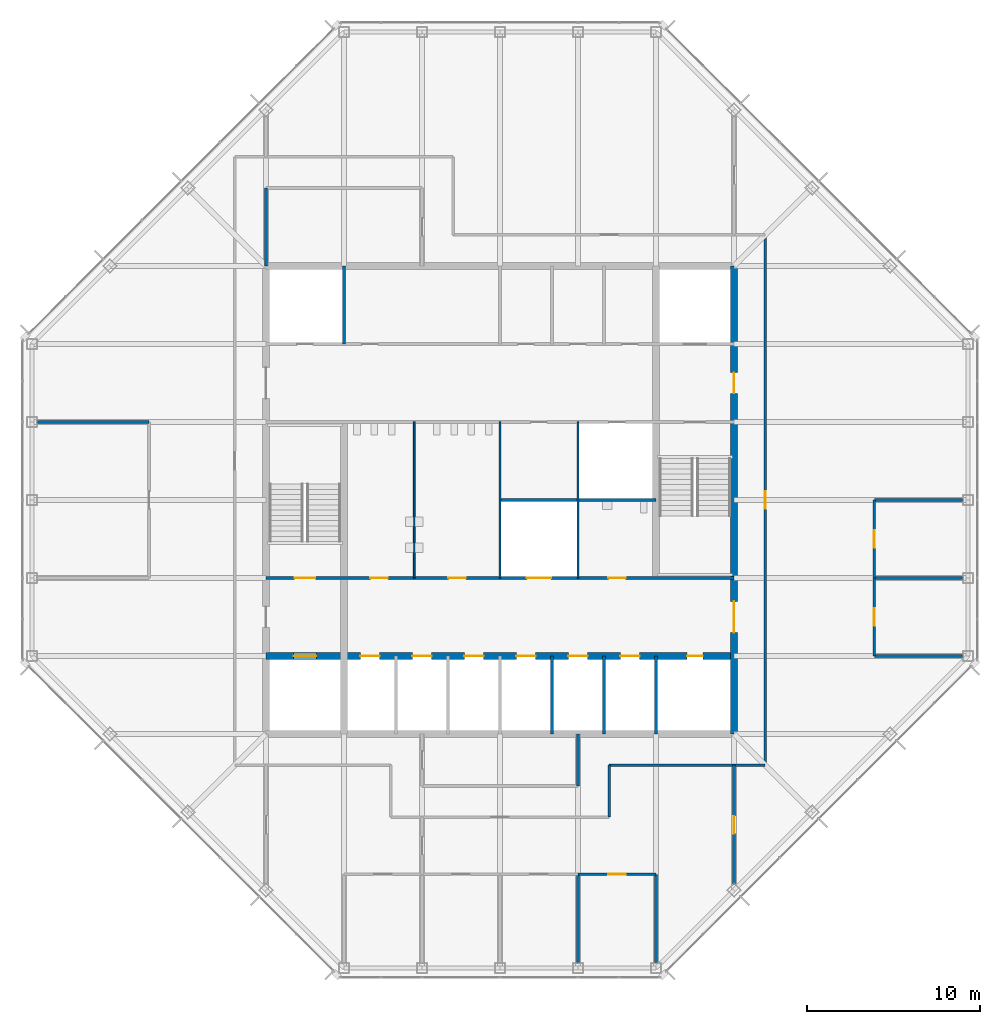
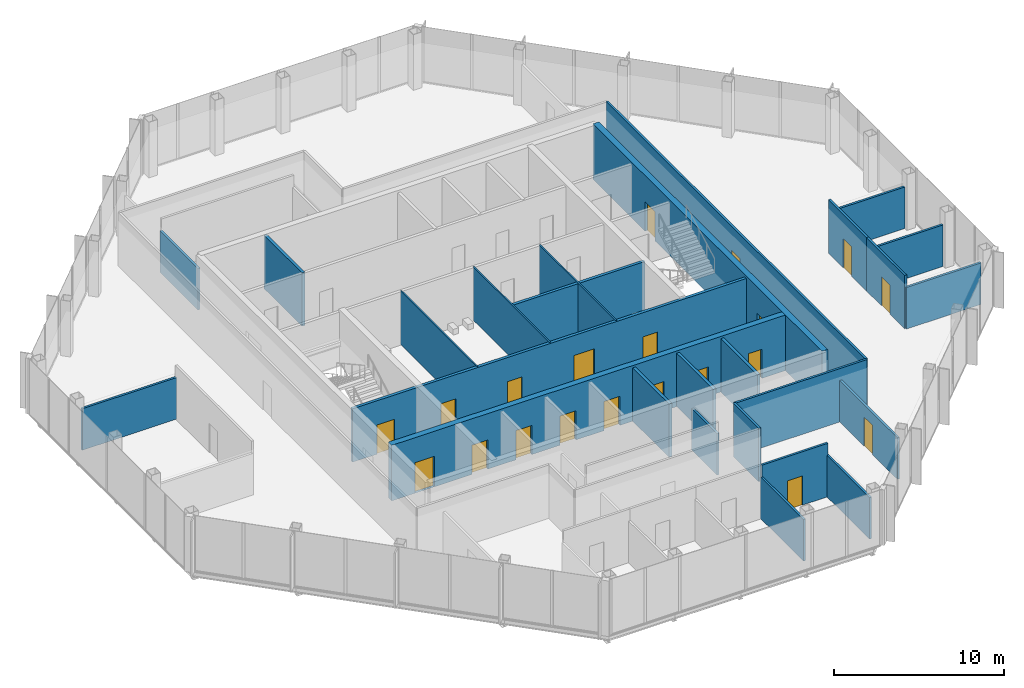
# One storey, part 10 of 13: 26 walls, 20 doors, 20 openings.
"""IFC4 building model written with IfcOpenShell, lengths in metres."""

from ifc_helpers import new_model, si_unit, direction, frame, frame_2d, origin, place, context, subcontext, project, spatial, rectangle, extrude, material, layer, layer_set, type_object, element, fill, save


model = new_model("IFC4")

# Units and contexts
model_context = context("Model", 3, precision=1e-05, world=origin(), true_north=direction((0.0, 1.0)))
body_context = subcontext(model_context, "Body", "Model", "MODEL_VIEW")
ifc_project = project(units=[si_unit("LENGTHUNIT", "METRE"), si_unit("AREAUNIT", "SQUARE_METRE"), si_unit("VOLUMEUNIT", "CUBIC_METRE"), si_unit("PLANEANGLEUNIT", "RADIAN"), si_unit("MASSUNIT", "GRAM", prefix="KILO")], contexts=[model_context])

# Site, building, storey
site_placement = place(None, origin())
site = spatial("IfcSite", under=ifc_project, at=site_placement, CompositionType="ELEMENT")
building_placement = place(site_placement, origin())
building = spatial("IfcBuilding", under=site, at=building_placement, Name="Corais Broadcast Tower", CompositionType="ELEMENT")
storey_placement = place(building_placement, frame((0.0, 0.0, 270.60009765625)))
storey = spatial("IfcBuildingStorey", under=building, at=storey_placement, Name="L63", CompositionType="ELEMENT", Elevation=270.60009765625)

# Walls
ifc_material_1 = material(Name="Concrete blockwork class A, grouted, two-hour", Category="masonry")
ifc_layer_1 = layer(ifc_material_1, 0.199951171875)
ifc_layer_set_1 = layer_set([ifc_layer_1], Name="Concrete blockwork class A, grouted, two-hour")
wall_type_1 = type_object("IfcWallType", Name="Core lobby wall 200", PredefinedType="SOLIDWALL", material=ifc_layer_set_1)
for number, where, z_axis, x_axis, name in (
    (1, (18.0, 36.0, 0.0), (0.0, 0.0, 1.0), (0.0, 1.0, 0.0), "CL3 core shaft wall X18B L63"),
    (2, (36.0, 13.5, 0.0), (0.0, 0.0, 1.0), (0.0, 1.0, 0.0), "CL3 core shaft wall X36A L63"),
):
    element("IfcWall", number, at=place(storey_placement, frame(where, z_axis=z_axis, x_axis=x_axis)), inside=storey, type_object=wall_type_1, Name=name, PredefinedType="SOLIDWALL", context=body_context, shape_type="SweptSolid", body=[
        extrude(rectangle(XDim=4.5, YDim=0.199951171875, at=frame_2d((2.25, 0.0))), origin(), (0.0, 0.0, 1.0), 3.83984375),
    ])

# Wall, openings, doors
wall_1_placement = place(storey_placement, frame((13.5, 22.5, 0.0), z_axis=(0.0, 0.0, 1.0), x_axis=(1.0, 0.0, 0.0)))
wall_1 = element("IfcWall", 3, at=wall_1_placement, inside=storey, type_object=wall_type_1, Name="CL3 core lobby wall Y225 L63", PredefinedType="SOLIDWALL", context=body_context, shape_type="SweptSolid", body=[
    extrude(rectangle(XDim=27.0, YDim=0.199951171875, at=frame_2d((13.5, 0.0))), origin(), (0.0, 0.0, 1.0), 3.83984375),
])
opening_1_placement = place(wall_1_placement, frame((1.64990234375, 0.0, 0.0)))
opening_1 = element("IfcOpeningElement", 4, at=opening_1_placement, cuts=wall_1, Name="Opening FD1", PredefinedType="OPENING", context=body_context, shape_type="SweptSolid", body=[
    extrude(rectangle(XDim=1.199951171875, YDim=2.10009765625, at=frame_2d((0.60009765625, 1.050048828125))), frame((0.0, 0.10986328125, 0.0), z_axis=(0.0, -1.0, 0.0), x_axis=(1.0, 0.0, 0.0)), (0.0, 0.0, 1.0), 0.219970703125),
])
opening_2_placement = place(wall_1_placement, frame((6.02490234375, 0.0, 0.0)))
opening_2 = element("IfcOpeningElement", 5, at=opening_2_placement, cuts=wall_1, Name="Opening WD1", PredefinedType="OPENING", context=body_context, shape_type="SweptSolid", body=[
    extrude(rectangle(XDim=1.0, YDim=2.10009765625, at=frame_2d((0.5, 1.050048828125))), frame((0.0, 0.10986328125, 0.0), z_axis=(0.0, -1.0, 0.0), x_axis=(1.0, 0.0, 0.0)), (0.0, 0.0, 1.0), 0.219970703125),
])
opening_3_placement = place(wall_1_placement, frame((10.52490234375, 0.0, 0.0)))
opening_3 = element("IfcOpeningElement", 6, at=opening_3_placement, cuts=wall_1, Name="Opening WD1", PredefinedType="OPENING", context=body_context, shape_type="SweptSolid", body=[
    extrude(rectangle(XDim=1.0, YDim=2.10009765625, at=frame_2d((0.5, 1.050048828125))), frame((0.0, 0.10986328125, 0.0), z_axis=(0.0, -1.0, 0.0), x_axis=(1.0, 0.0, 0.0)), (0.0, 0.0, 1.0), 0.219970703125),
])
opening_4_placement = place(wall_1_placement, frame((19.75, 0.0, 0.0)))
opening_4 = element("IfcOpeningElement", 7, at=opening_4_placement, cuts=wall_1, Name="Opening WD1", PredefinedType="OPENING", context=body_context, shape_type="SweptSolid", body=[
    extrude(rectangle(XDim=1.0, YDim=2.10009765625, at=frame_2d((0.5, 1.050048828125))), frame((0.0, 0.10986328125, 0.0), z_axis=(0.0, -1.0, 0.0), x_axis=(1.0, 0.0, 0.0)), (0.0, 0.0, 1.0), 0.219970703125),
])
opening_5_placement = place(wall_1_placement, frame((15.050048828125, 0.0, 0.0)))
opening_5 = element("IfcOpeningElement", 8, at=opening_5_placement, cuts=wall_1, Name="Opening LD3", PredefinedType="OPENING", context=body_context, shape_type="SweptSolid", body=[
    extrude(rectangle(XDim=1.39990234375, YDim=2.39990234375, at=frame_2d((0.699951171875, 1.199951171875))), frame((0.0, 0.10986328125, 0.0), z_axis=(0.0, -1.0, 0.0), x_axis=(1.0, 0.0, 0.0)), (0.0, 0.0, 1.0), 0.219970703125),
])
ifc_material_2 = material(Name="Steel fire door", Category="steel")
door_type_1 = type_object("IfcDoorType", Name="Fire door 1200x2100", OperationType="SINGLE_SWING_LEFT", PredefinedType="DOOR", material=ifc_material_2)
door_1_placement = place(opening_1_placement, origin())
door_1 = element("IfcDoor", 9, at=door_1_placement, inside=storey, type_object=door_type_1, Name="FD1 stair A door L63", OperationType="SINGLE_SWING_LEFT", OverallHeight=2.10009765625, OverallWidth=1.199951171875, PredefinedType="DOOR", context=body_context, shape_type="SweptSolid", body=[
    extrude(rectangle(XDim=1.199951171875, YDim=2.10009765625, at=frame_2d((0.60009765625, 1.050048828125))), frame((0.0, 0.02490234375, 0.0), z_axis=(0.0, -1.0, 0.0), x_axis=(1.0, 0.0, 0.0)), (0.0, 0.0, 1.0), 0.050048828125),
])
fill(opening_1, door_1)
ifc_material_3 = material(Name="Stainless steel lift door", Category="steel")
door_type_2 = type_object("IfcDoorType", Name="Service lift landing door 1400x2400", OperationType="SLIDING_TO_LEFT", PredefinedType="DOOR", material=ifc_material_3)
door_2_placement = place(opening_5_placement, origin())
door_2 = element("IfcDoor", 10, at=door_2_placement, inside=storey, type_object=door_type_2, Name="LD3 SL1 landing door L63", OperationType="SLIDING_TO_LEFT", OverallHeight=2.39990234375, OverallWidth=1.39990234375, PredefinedType="DOOR", context=body_context, shape_type="SweptSolid", body=[
    extrude(rectangle(XDim=1.39990234375, YDim=2.39990234375, at=frame_2d((0.699951171875, 1.199951171875))), frame((0.0, 0.02490234375, 0.0), z_axis=(0.0, -1.0, 0.0), x_axis=(1.0, 0.0, 0.0)), (0.0, 0.0, 1.0), 0.050048828125),
])
fill(opening_5, door_2)
ifc_material_4 = material(Name="Timber door", Category="wood")
door_type_3 = type_object("IfcDoorType", Name="Toilet door 1000x2100", OperationType="SINGLE_SWING_LEFT", PredefinedType="DOOR", material=ifc_material_4)
door_3_placement = place(opening_2_placement, origin())
door_3 = element("IfcDoor", 11, at=door_3_placement, inside=storey, type_object=door_type_3, Name="WD1 WC male door L63", OperationType="SINGLE_SWING_LEFT", OverallHeight=2.10009765625, OverallWidth=1.0, PredefinedType="DOOR", context=body_context, shape_type="SweptSolid", body=[
    extrude(rectangle(XDim=1.0, YDim=2.10009765625, at=frame_2d((0.5, 1.050048828125))), frame((0.0, 0.02490234375, 0.0), z_axis=(0.0, -1.0, 0.0), x_axis=(1.0, 0.0, 0.0)), (0.0, 0.0, 1.0), 0.050048828125),
])
fill(opening_2, door_3)
door_4_placement = place(opening_3_placement, origin())
door_4 = element("IfcDoor", 12, at=door_4_placement, inside=storey, type_object=door_type_3, Name="WD1 WC female door L63", OperationType="SINGLE_SWING_LEFT", OverallHeight=2.10009765625, OverallWidth=1.0, PredefinedType="DOOR", context=body_context, shape_type="SweptSolid", body=[
    extrude(rectangle(XDim=1.0, YDim=2.10009765625, at=frame_2d((0.5, 1.050048828125))), frame((0.0, 0.02490234375, 0.0), z_axis=(0.0, -1.0, 0.0), x_axis=(1.0, 0.0, 0.0)), (0.0, 0.0, 1.0), 0.050048828125),
])
fill(opening_3, door_4)
door_5_placement = place(opening_4_placement, origin())
door_5 = element("IfcDoor", 13, at=door_5_placement, inside=storey, type_object=door_type_3, Name="WD1 accessible WC door L63", OperationType="SINGLE_SWING_RIGHT", OverallHeight=2.10009765625, OverallWidth=1.0, PredefinedType="DOOR", context=body_context, shape_type="SweptSolid", body=[
    extrude(rectangle(XDim=1.0, YDim=2.10009765625, at=frame_2d((0.5, 1.050048828125))), frame((0.0, 0.02490234375, 0.0), z_axis=(0.0, -1.0, 0.0), x_axis=(1.0, 0.0, 0.0)), (0.0, 0.0, 1.0), 0.050048828125),
])
fill(opening_4, door_5)

ifc_material_5 = material(Name="Concrete C50/60", Category="concrete")
ifc_layer_2 = layer(ifc_material_5, 0.39990234375)
ifc_layer_set_2 = layer_set([ifc_layer_2], Name="Concrete C50/60")
wall_type_2 = type_object("IfcWallType", Name="Core wall 400", PredefinedType="SHEAR", material=ifc_layer_set_2)
wall_2_placement = place(storey_placement, frame((40.5, 13.5, 0.0), z_axis=(0.0, 0.0, 1.0), x_axis=(0.0, 1.0, 0.0)))
wall_2 = element("IfcWall", 14, at=wall_2_placement, inside=storey, type_object=wall_type_2, Name="CR400 core wall E L63", PredefinedType="SHEAR", context=body_context, shape_type="SweptSolid", body=[
    extrude(rectangle(XDim=27.0, YDim=0.39990234375, at=frame_2d((13.5, 0.0))), origin(), (0.0, 0.0, 1.0), 4.0),
])
opening_6_placement = place(wall_2_placement, frame((5.85009765625, 0.0, 0.0)))
opening_6 = element("IfcOpeningElement", 15, at=opening_6_placement, cuts=wall_2, Name="Opening FD2", PredefinedType="OPENING", context=body_context, shape_type="SweptSolid", body=[
    extrude(rectangle(XDim=1.800048828125, YDim=2.10009765625, at=frame_2d((0.89990234375, 1.050048828125))), frame((0.0, 0.2099609375, 0.0), z_axis=(0.0, -1.0, 0.0), x_axis=(1.0, 0.0, 0.0)), (0.0, 0.0, 1.0), 0.419921875),
])
opening_7_placement = place(wall_2_placement, frame((19.64990234375, 0.0, 0.0)))
opening_7 = element("IfcOpeningElement", 16, at=opening_7_placement, cuts=wall_2, Name="Opening FD1", PredefinedType="OPENING", context=body_context, shape_type="SweptSolid", body=[
    extrude(rectangle(XDim=1.199951171875, YDim=2.10009765625, at=frame_2d((0.60009765625, 1.050048828125))), frame((0.0, 0.2099609375, 0.0), z_axis=(0.0, -1.0, 0.0), x_axis=(1.0, 0.0, 0.0)), (0.0, 0.0, 1.0), 0.419921875),
])
door_6_placement = place(opening_7_placement, origin())
door_6 = element("IfcDoor", 17, at=door_6_placement, inside=storey, type_object=door_type_1, Name="FD1 fire lobby B door L63", OperationType="SINGLE_SWING_RIGHT", OverallHeight=2.10009765625, OverallWidth=1.199951171875, PredefinedType="DOOR", context=body_context, shape_type="SweptSolid", body=[
    extrude(rectangle(XDim=1.199951171875, YDim=2.10009765625, at=frame_2d((0.60009765625, 1.050048828125))), frame((0.0, 0.02490234375, 0.0), z_axis=(0.0, -1.0, 0.0), x_axis=(1.0, 0.0, 0.0)), (0.0, 0.0, 1.0), 0.050048828125),
])
fill(opening_7, door_6)
ifc_material_6 = material(Name="Steel fire door", Category="steel")
door_type_4 = type_object("IfcDoorType", Name="Fire door pair 1800x2100", OperationType="DOUBLE_DOOR_SINGLE_SWING", PredefinedType="DOOR", material=ifc_material_6)
door_7_placement = place(opening_6_placement, origin())
door_7 = element("IfcDoor", 18, at=door_7_placement, inside=storey, type_object=door_type_4, Name="FD2 lift lobby door L63", OperationType="SINGLE_SWING_LEFT", OverallHeight=2.10009765625, OverallWidth=1.800048828125, PredefinedType="DOOR", context=body_context, shape_type="SweptSolid", body=[
    extrude(rectangle(XDim=1.800048828125, YDim=2.10009765625, at=frame_2d((0.89990234375, 1.050048828125))), frame((0.0, 0.02490234375, 0.0), z_axis=(0.0, -1.0, 0.0), x_axis=(1.0, 0.0, 0.0)), (0.0, 0.0, 1.0), 0.050048828125),
])
fill(opening_6, door_7)

wall_3_placement = place(storey_placement, frame((13.5, 18.0, 0.0), z_axis=(0.0, 0.0, 1.0), x_axis=(1.0, 0.0, 0.0)))
wall_3 = element("IfcWall", 19, at=wall_3_placement, inside=storey, type_object=wall_type_2, Name="CR400 core wall Y18 L63", PredefinedType="SHEAR", context=body_context, shape_type="SweptSolid", body=[
    extrude(rectangle(XDim=27.0, YDim=0.39990234375, at=frame_2d((13.5, 0.0))), origin(), (0.0, 0.0, 1.0), 4.0),
])
opening_8_placement = place(wall_3_placement, frame((24.300048828125, 0.0, 0.0)))
opening_8 = element("IfcOpeningElement", 20, at=opening_8_placement, cuts=wall_3, Name="Opening RD1", PredefinedType="OPENING", context=body_context, shape_type="SweptSolid", body=[
    extrude(rectangle(XDim=0.89990234375, YDim=2.10009765625, at=frame_2d((0.449951171875, 1.050048828125))), frame((0.0, 0.2099609375, 0.0), z_axis=(0.0, -1.0, 0.0), x_axis=(1.0, 0.0, 0.0)), (0.0, 0.0, 1.0), 0.419921875),
])
opening_9_placement = place(wall_3_placement, frame((5.449951171875, 0.0, 0.0)))
opening_9 = element("IfcOpeningElement", 21, at=opening_9_placement, cuts=wall_3, Name="Opening LD1", PredefinedType="OPENING", context=body_context, shape_type="SweptSolid", body=[
    extrude(rectangle(XDim=1.10009765625, YDim=2.10009765625, at=frame_2d((0.550048828125, 1.050048828125))), frame((0.0, 0.2099609375, 0.0), z_axis=(0.0, -1.0, 0.0), x_axis=(1.0, 0.0, 0.0)), (0.0, 0.0, 1.0), 0.419921875),
])
opening_10_placement = place(wall_3_placement, frame((8.449951171875, 0.0, 0.0)))
opening_10 = element("IfcOpeningElement", 22, at=opening_10_placement, cuts=wall_3, Name="Opening LD1", PredefinedType="OPENING", context=body_context, shape_type="SweptSolid", body=[
    extrude(rectangle(XDim=1.10009765625, YDim=2.10009765625, at=frame_2d((0.550048828125, 1.050048828125))), frame((0.0, 0.2099609375, 0.0), z_axis=(0.0, -1.0, 0.0), x_axis=(1.0, 0.0, 0.0)), (0.0, 0.0, 1.0), 0.419921875),
])
opening_11_placement = place(wall_3_placement, frame((11.449951171875, 0.0, 0.0)))
opening_11 = element("IfcOpeningElement", 23, at=opening_11_placement, cuts=wall_3, Name="Opening LD1", PredefinedType="OPENING", context=body_context, shape_type="SweptSolid", body=[
    extrude(rectangle(XDim=1.10009765625, YDim=2.10009765625, at=frame_2d((0.550048828125, 1.050048828125))), frame((0.0, 0.2099609375, 0.0), z_axis=(0.0, -1.0, 0.0), x_axis=(1.0, 0.0, 0.0)), (0.0, 0.0, 1.0), 0.419921875),
])
opening_12_placement = place(wall_3_placement, frame((14.449951171875, 0.0, 0.0)))
opening_12 = element("IfcOpeningElement", 24, at=opening_12_placement, cuts=wall_3, Name="Opening LD1", PredefinedType="OPENING", context=body_context, shape_type="SweptSolid", body=[
    extrude(rectangle(XDim=1.10009765625, YDim=2.10009765625, at=frame_2d((0.550048828125, 1.050048828125))), frame((0.0, 0.2099609375, 0.0), z_axis=(0.0, -1.0, 0.0), x_axis=(1.0, 0.0, 0.0)), (0.0, 0.0, 1.0), 0.419921875),
])
opening_13_placement = place(wall_3_placement, frame((17.449951171875, 0.0, 0.0)))
opening_13 = element("IfcOpeningElement", 25, at=opening_13_placement, cuts=wall_3, Name="Opening LD1", PredefinedType="OPENING", context=body_context, shape_type="SweptSolid", body=[
    extrude(rectangle(XDim=1.10009765625, YDim=2.10009765625, at=frame_2d((0.550048828125, 1.050048828125))), frame((0.0, 0.2099609375, 0.0), z_axis=(0.0, -1.0, 0.0), x_axis=(1.0, 0.0, 0.0)), (0.0, 0.0, 1.0), 0.419921875),
])
opening_14_placement = place(wall_3_placement, frame((20.449951171875, 0.0, 0.0)))
opening_14 = element("IfcOpeningElement", 26, at=opening_14_placement, cuts=wall_3, Name="Opening LD1", PredefinedType="OPENING", context=body_context, shape_type="SweptSolid", body=[
    extrude(rectangle(XDim=1.10009765625, YDim=2.10009765625, at=frame_2d((0.550048828125, 1.050048828125))), frame((0.0, 0.2099609375, 0.0), z_axis=(0.0, -1.0, 0.0), x_axis=(1.0, 0.0, 0.0)), (0.0, 0.0, 1.0), 0.419921875),
])
opening_15_placement = place(wall_3_placement, frame((1.60009765625, 0.0, 0.0)))
opening_15 = element("IfcOpeningElement", 27, at=opening_15_placement, cuts=wall_3, Name="Opening LD2", PredefinedType="OPENING", context=body_context, shape_type="SweptSolid", body=[
    extrude(rectangle(XDim=1.300048828125, YDim=2.199951171875, at=frame_2d((0.64990234375, 1.10009765625))), frame((0.0, 0.2099609375, 0.0), z_axis=(0.0, -1.0, 0.0), x_axis=(1.0, 0.0, 0.0)), (0.0, 0.0, 1.0), 0.419921875),
])
ifc_material_7 = material(Name="Stainless steel lift door", Category="steel")
door_type_5 = type_object("IfcDoorType", Name="Lift landing door 1100x2100", OperationType="SLIDING_TO_LEFT", PredefinedType="DOOR", material=ifc_material_7)
door_8_placement = place(opening_9_placement, origin())
door_8 = element("IfcDoor", 28, at=door_8_placement, inside=storey, type_object=door_type_5, Name="LD1 PH1 landing door L63", OperationType="SLIDING_TO_LEFT", OverallHeight=2.10009765625, OverallWidth=1.10009765625, PredefinedType="DOOR", context=body_context, shape_type="SweptSolid", body=[
    extrude(rectangle(XDim=1.10009765625, YDim=2.10009765625, at=frame_2d((0.550048828125, 1.050048828125))), frame((0.0, 0.02490234375, 0.0), z_axis=(0.0, -1.0, 0.0), x_axis=(1.0, 0.0, 0.0)), (0.0, 0.0, 1.0), 0.050048828125),
])
fill(opening_9, door_8)
door_9_placement = place(opening_10_placement, origin())
door_9 = element("IfcDoor", 29, at=door_9_placement, inside=storey, type_object=door_type_5, Name="LD1 PH2 landing door L63", OperationType="SLIDING_TO_LEFT", OverallHeight=2.10009765625, OverallWidth=1.10009765625, PredefinedType="DOOR", context=body_context, shape_type="SweptSolid", body=[
    extrude(rectangle(XDim=1.10009765625, YDim=2.10009765625, at=frame_2d((0.550048828125, 1.050048828125))), frame((0.0, 0.02490234375, 0.0), z_axis=(0.0, -1.0, 0.0), x_axis=(1.0, 0.0, 0.0)), (0.0, 0.0, 1.0), 0.050048828125),
])
fill(opening_10, door_9)
door_10_placement = place(opening_11_placement, origin())
door_10 = element("IfcDoor", 30, at=door_10_placement, inside=storey, type_object=door_type_5, Name="LD1 PH3 landing door L63", OperationType="SLIDING_TO_LEFT", OverallHeight=2.10009765625, OverallWidth=1.10009765625, PredefinedType="DOOR", context=body_context, shape_type="SweptSolid", body=[
    extrude(rectangle(XDim=1.10009765625, YDim=2.10009765625, at=frame_2d((0.550048828125, 1.050048828125))), frame((0.0, 0.02490234375, 0.0), z_axis=(0.0, -1.0, 0.0), x_axis=(1.0, 0.0, 0.0)), (0.0, 0.0, 1.0), 0.050048828125),
])
fill(opening_11, door_10)
door_11_placement = place(opening_12_placement, origin())
door_11 = element("IfcDoor", 31, at=door_11_placement, inside=storey, type_object=door_type_5, Name="LD1 PH4 landing door L63", OperationType="SLIDING_TO_LEFT", OverallHeight=2.10009765625, OverallWidth=1.10009765625, PredefinedType="DOOR", context=body_context, shape_type="SweptSolid", body=[
    extrude(rectangle(XDim=1.10009765625, YDim=2.10009765625, at=frame_2d((0.550048828125, 1.050048828125))), frame((0.0, 0.02490234375, 0.0), z_axis=(0.0, -1.0, 0.0), x_axis=(1.0, 0.0, 0.0)), (0.0, 0.0, 1.0), 0.050048828125),
])
fill(opening_12, door_11)
door_12_placement = place(opening_13_placement, origin())
door_12 = element("IfcDoor", 32, at=door_12_placement, inside=storey, type_object=door_type_5, Name="LD1 PH5 landing door L63", OperationType="SLIDING_TO_LEFT", OverallHeight=2.10009765625, OverallWidth=1.10009765625, PredefinedType="DOOR", context=body_context, shape_type="SweptSolid", body=[
    extrude(rectangle(XDim=1.10009765625, YDim=2.10009765625, at=frame_2d((0.550048828125, 1.050048828125))), frame((0.0, 0.02490234375, 0.0), z_axis=(0.0, -1.0, 0.0), x_axis=(1.0, 0.0, 0.0)), (0.0, 0.0, 1.0), 0.050048828125),
])
fill(opening_13, door_12)
door_13_placement = place(opening_14_placement, origin())
door_13 = element("IfcDoor", 33, at=door_13_placement, inside=storey, type_object=door_type_5, Name="LD1 PH6 landing door L63", OperationType="SLIDING_TO_LEFT", OverallHeight=2.10009765625, OverallWidth=1.10009765625, PredefinedType="DOOR", context=body_context, shape_type="SweptSolid", body=[
    extrude(rectangle(XDim=1.10009765625, YDim=2.10009765625, at=frame_2d((0.550048828125, 1.050048828125))), frame((0.0, 0.02490234375, 0.0), z_axis=(0.0, -1.0, 0.0), x_axis=(1.0, 0.0, 0.0)), (0.0, 0.0, 1.0), 0.050048828125),
])
fill(opening_14, door_13)
ifc_material_8 = material(Name="Stainless steel lift door", Category="steel")
door_type_6 = type_object("IfcDoorType", Name="Lift landing door 1300x2200", OperationType="SLIDING_TO_LEFT", PredefinedType="DOOR", material=ifc_material_8)
door_14_placement = place(opening_15_placement, origin())
door_14 = element("IfcDoor", 34, at=door_14_placement, inside=storey, type_object=door_type_6, Name="LD2 FL1 landing door L63", OperationType="SLIDING_TO_LEFT", OverallHeight=2.199951171875, OverallWidth=1.300048828125, PredefinedType="DOOR", context=body_context, shape_type="SweptSolid", body=[
    extrude(rectangle(XDim=1.300048828125, YDim=2.199951171875, at=frame_2d((0.64990234375, 1.10009765625))), frame((0.0, 0.02490234375, 0.0), z_axis=(0.0, -1.0, 0.0), x_axis=(1.0, 0.0, 0.0)), (0.0, 0.0, 1.0), 0.050048828125),
])
fill(opening_15, door_14)
ifc_material_9 = material(Name="Steel fire door", Category="steel")
door_type_7 = type_object("IfcDoorType", Name="Riser door 900x2100", OperationType="SINGLE_SWING_LEFT", PredefinedType="DOOR", material=ifc_material_9)
door_15_placement = place(opening_8_placement, origin())
door_15 = element("IfcDoor", 35, at=door_15_placement, inside=storey, type_object=door_type_7, Name="RD1 riser door L63", OperationType="SINGLE_SWING_RIGHT", OverallHeight=2.10009765625, OverallWidth=0.89990234375, PredefinedType="DOOR", context=body_context, shape_type="SweptSolid", body=[
    extrude(rectangle(XDim=0.89990234375, YDim=2.10009765625, at=frame_2d((0.449951171875, 1.050048828125))), frame((0.0, 0.02490234375, 0.0), z_axis=(0.0, -1.0, 0.0), x_axis=(1.0, 0.0, 0.0)), (0.0, 0.0, 1.0), 0.050048828125),
])
fill(opening_8, door_15)

# Wall, opening, door
ifc_material_10 = material(Name="Gypsum board on steel studs", Category="steel")
ifc_layer_3 = layer(ifc_material_10, 0.14990234375)
ifc_layer_set_3 = layer_set([ifc_layer_3], Name="Gypsum board on steel studs")
wall_type_3 = type_object("IfcWallType", Name="Partition 150", PredefinedType="PARTITIONING", material=ifc_layer_set_3)
wall_4_placement = place(storey_placement, frame((42.300048828125, 11.699951171875, 0.0), z_axis=(0.0, 0.0, 1.0), x_axis=(0.0, 1.0, 0.0)))
wall_4 = element("IfcWall", 36, at=wall_4_placement, inside=storey, type_object=wall_type_3, Name="IW3 corridor wall L63", PredefinedType="PARTITIONING", context=body_context, shape_type="SweptSolid", body=[
    extrude(rectangle(XDim=30.60009765625, YDim=0.14990234375, at=frame_2d((15.300048828125, 0.0))), origin(), (0.0, 0.0, 1.0), 3.83984375),
])
opening_16_placement = place(wall_4_placement, frame((14.800048828125, 0.0, 0.0)))
opening_16 = element("IfcOpeningElement", 37, at=opening_16_placement, cuts=wall_4, Name="Opening D1", PredefinedType="OPENING", context=body_context, shape_type="SweptSolid", body=[
    extrude(rectangle(XDim=1.0, YDim=2.10009765625, at=frame_2d((0.5, 1.050048828125))), frame((0.0, 0.0849609375, 0.0), z_axis=(0.0, -1.0, 0.0), x_axis=(1.0, 0.0, 0.0)), (0.0, 0.0, 1.0), 0.169921875),
])
ifc_material_11 = material(Name="Timber door", Category="wood")
door_type_8 = type_object("IfcDoorType", Name="Single door 1000x2100", OperationType="SINGLE_SWING_LEFT", PredefinedType="DOOR", material=ifc_material_11)
door_16_placement = place(opening_16_placement, origin())
door_16 = element("IfcDoor", 38, at=door_16_placement, inside=storey, type_object=door_type_8, Name="D1 workplace door L63", OperationType="SINGLE_SWING_LEFT", OverallHeight=2.10009765625, OverallWidth=1.0, PredefinedType="DOOR", context=body_context, shape_type="SweptSolid", body=[
    extrude(rectangle(XDim=1.0, YDim=2.10009765625, at=frame_2d((0.5, 1.050048828125))), frame((0.0, 0.02490234375, 0.0), z_axis=(0.0, -1.0, 0.0), x_axis=(1.0, 0.0, 0.0)), (0.0, 0.0, 1.0), 0.050048828125),
])
fill(opening_16, door_16)

# Walls
wall_5_placement = place(storey_placement, frame((33.300048828125, 11.699951171875, 0.0), z_axis=(0.0, 0.0, 1.0), x_axis=(1.0, 0.0, 0.0)))
element("IfcWall", 39, at=wall_5_placement, inside=storey, type_object=wall_type_3, Name="IW3 corridor wall L63", PredefinedType="PARTITIONING", context=body_context, shape_type="SweptSolid", body=[
    extrude(rectangle(XDim=9.0, YDim=0.14990234375, at=frame_2d((4.5, 0.0))), origin(), (0.0, 0.0, 1.0), 3.83984375),
])
wall_6_placement = place(storey_placement, frame((33.300048828125, 8.699951171875, 0.0), z_axis=(0.0, 0.0, 1.0), x_axis=(0.0, 1.0, 0.0)))
element("IfcWall", 40, at=wall_6_placement, inside=storey, type_object=wall_type_3, Name="IW3 corridor wall L63", PredefinedType="PARTITIONING", context=body_context, shape_type="SweptSolid", body=[
    extrude(rectangle(XDim=3.0, YDim=0.14990234375, at=frame_2d((1.5, 0.0))), origin(), (0.0, 0.0, 1.0), 3.83984375),
])
wall_7_placement = place(storey_placement, frame((6.75, 31.5, 0.0), z_axis=(0.0, 0.0, 1.0), x_axis=(-1.0, 0.0, 0.0)))
element("IfcWall", 41, at=wall_7_placement, inside=storey, type_object=wall_type_3, Name="IW3 partition L63", PredefinedType="PARTITIONING", context=body_context, shape_type="SweptSolid", body=[
    extrude(rectangle(XDim=6.43994140625, YDim=0.14990234375, at=frame_2d((3.219970703125, 0.0))), origin(), (0.0, 0.0, 1.0), 2.989013671875),
])
for number, where, z_axis, x_axis, name in (
    (42, (48.60009765625, 18.0, 0.0), (0.0, 0.0, 1.0), (1.0, 0.0, 0.0), "IW3 partition L63"),
    (43, (53.68994140625, 22.5, 0.0), (0.0, 0.0, 1.0), (-1.0, 0.0, 0.0), "IW3 partition L63"),
):
    element("IfcWall", number, at=place(storey_placement, frame(where, z_axis=z_axis, x_axis=x_axis)), inside=storey, type_object=wall_type_3, Name=name, PredefinedType="PARTITIONING", context=body_context, shape_type="SweptSolid", body=[
        extrude(rectangle(XDim=5.08984375, YDim=0.14990234375, at=frame_2d((2.544921875, 0.0))), origin(), (0.0, 0.0, 1.0), 2.989013671875),
    ])

# Wall, opening, door
wall_8_placement = place(storey_placement, frame((48.60009765625, 22.5, 0.0), z_axis=(0.0, 0.0, 1.0), x_axis=(0.0, -1.0, 0.0)))
wall_8 = element("IfcWall", 44, at=wall_8_placement, inside=storey, type_object=wall_type_3, Name="IW3 partition L63", PredefinedType="PARTITIONING", context=body_context, shape_type="SweptSolid", body=[
    extrude(rectangle(XDim=4.5, YDim=0.14990234375, at=frame_2d((2.25, 0.0))), origin(), (0.0, 0.0, 1.0), 3.83984375),
])
opening_17_placement = place(wall_8_placement, frame((1.75, 0.0, 0.0)))
opening_17 = element("IfcOpeningElement", 45, at=opening_17_placement, cuts=wall_8, Name="Opening D1", PredefinedType="OPENING", context=body_context, shape_type="SweptSolid", body=[
    extrude(rectangle(XDim=1.0, YDim=2.10009765625, at=frame_2d((0.5, 1.050048828125))), frame((0.0, 0.0849609375, 0.0), z_axis=(0.0, -1.0, 0.0), x_axis=(1.0, 0.0, 0.0)), (0.0, 0.0, 1.0), 0.169921875),
])
door_17_placement = place(opening_17_placement, origin())
door_17 = element("IfcDoor", 46, at=door_17_placement, inside=storey, type_object=door_type_8, Name="D1 Office door", OperationType="SINGLE_SWING_LEFT", OverallHeight=2.10009765625, OverallWidth=1.0, PredefinedType="DOOR", context=body_context, shape_type="SweptSolid", body=[
    extrude(rectangle(XDim=1.0, YDim=2.10009765625, at=frame_2d((0.5, 1.050048828125))), frame((0.0, 0.02490234375, 0.0), z_axis=(0.0, -1.0, 0.0), x_axis=(1.0, 0.0, 0.0)), (0.0, 0.0, 1.0), 0.050048828125),
])
fill(opening_17, door_17)

# Wall
wall_9_placement = place(storey_placement, frame((53.68994140625, 27.0, 0.0), z_axis=(0.0, 0.0, 1.0), x_axis=(-1.0, 0.0, 0.0)))
element("IfcWall", 47, at=wall_9_placement, inside=storey, type_object=wall_type_3, Name="IW3 partition L63", PredefinedType="PARTITIONING", context=body_context, shape_type="SweptSolid", body=[
    extrude(rectangle(XDim=5.08984375, YDim=0.14990234375, at=frame_2d((2.544921875, 0.0))), origin(), (0.0, 0.0, 1.0), 2.989013671875),
])

# Wall, opening, door
wall_10_placement = place(storey_placement, frame((48.60009765625, 27.0, 0.0), z_axis=(0.0, 0.0, 1.0), x_axis=(0.0, -1.0, 0.0)))
wall_10 = element("IfcWall", 48, at=wall_10_placement, inside=storey, type_object=wall_type_3, Name="IW3 partition L63", PredefinedType="PARTITIONING", context=body_context, shape_type="SweptSolid", body=[
    extrude(rectangle(XDim=4.5, YDim=0.14990234375, at=frame_2d((2.25, 0.0))), origin(), (0.0, 0.0, 1.0), 3.83984375),
])
opening_18_placement = place(wall_10_placement, frame((1.75, 0.0, 0.0)))
opening_18 = element("IfcOpeningElement", 49, at=opening_18_placement, cuts=wall_10, Name="Opening D1", PredefinedType="OPENING", context=body_context, shape_type="SweptSolid", body=[
    extrude(rectangle(XDim=1.0, YDim=2.10009765625, at=frame_2d((0.5, 1.050048828125))), frame((0.0, 0.0849609375, 0.0), z_axis=(0.0, -1.0, 0.0), x_axis=(1.0, 0.0, 0.0)), (0.0, 0.0, 1.0), 0.169921875),
])
door_18_placement = place(opening_18_placement, origin())
door_18 = element("IfcDoor", 50, at=door_18_placement, inside=storey, type_object=door_type_8, Name="D1 Office door", OperationType="SINGLE_SWING_LEFT", OverallHeight=2.10009765625, OverallWidth=1.0, PredefinedType="DOOR", context=body_context, shape_type="SweptSolid", body=[
    extrude(rectangle(XDim=1.0, YDim=2.10009765625, at=frame_2d((0.5, 1.050048828125))), frame((0.0, 0.02490234375, 0.0), z_axis=(0.0, -1.0, 0.0), x_axis=(1.0, 0.0, 0.0)), (0.0, 0.0, 1.0), 0.050048828125),
])
fill(opening_18, door_18)

# Walls
wall_11_placement = place(storey_placement, frame((13.5, 45.0, 0.0), z_axis=(0.0, 0.0, 1.0), x_axis=(0.0, -1.0, 0.0)))
element("IfcWall", 51, at=wall_11_placement, inside=storey, type_object=wall_type_3, Name="IW3 partition L63", PredefinedType="PARTITIONING", context=body_context, shape_type="SweptSolid", body=[
    extrude(rectangle(XDim=4.5, YDim=0.14990234375, at=frame_2d((2.25, 0.0))), origin(), (0.0, 0.0, 1.0), 2.989013671875),
])
wall_12_placement = place(storey_placement, frame((31.5, 10.5, 0.0), z_axis=(0.0, 0.0, 1.0), x_axis=(0.0, 1.0, 0.0)))
element("IfcWall", 52, at=wall_12_placement, inside=storey, type_object=wall_type_3, Name="IW3 partition L63", PredefinedType="PARTITIONING", context=body_context, shape_type="SweptSolid", body=[
    extrude(rectangle(XDim=3.0, YDim=0.14990234375, at=frame_2d((1.5, 0.0))), origin(), (0.0, 0.0, 1.0), 2.989013671875),
])
for number, where, z_axis, x_axis, name in (
    (53, (31.5, 0.31005859375, 0.0), (0.0, 0.0, 1.0), (0.0, 1.0, 0.0), "IW3 partition L63"),
    (54, (36.0, 0.31005859375, 0.0), (0.0, 0.0, 1.0), (0.0, 1.0, 0.0), "IW3 partition L63"),
):
    element("IfcWall", number, at=place(storey_placement, frame(where, z_axis=z_axis, x_axis=x_axis)), inside=storey, type_object=wall_type_3, Name=name, PredefinedType="PARTITIONING", context=body_context, shape_type="SweptSolid", body=[
        extrude(rectangle(XDim=5.08984375, YDim=0.14990234375, at=frame_2d((2.544921875, 0.0))), origin(), (0.0, 0.0, 1.0), 2.989013671875),
    ])

# Wall, opening, door
wall_13_placement = place(storey_placement, frame((36.0, 5.39990234375, 0.0), z_axis=(0.0, 0.0, 1.0), x_axis=(-1.0, 0.0, 0.0)))
wall_13 = element("IfcWall", 55, at=wall_13_placement, inside=storey, type_object=wall_type_3, Name="IW3 partition L63", PredefinedType="PARTITIONING", context=body_context, shape_type="SweptSolid", body=[
    extrude(rectangle(XDim=4.5, YDim=0.14990234375, at=frame_2d((2.25, 0.0))), origin(), (0.0, 0.0, 1.0), 3.83984375),
])
opening_19_placement = place(wall_13_placement, frame((1.75, 0.0, 0.0)))
opening_19 = element("IfcOpeningElement", 56, at=opening_19_placement, cuts=wall_13, Name="Opening D1", PredefinedType="OPENING", context=body_context, shape_type="SweptSolid", body=[
    extrude(rectangle(XDim=1.0, YDim=2.10009765625, at=frame_2d((0.5, 1.050048828125))), frame((0.0, 0.0849609375, 0.0), z_axis=(0.0, -1.0, 0.0), x_axis=(1.0, 0.0, 0.0)), (0.0, 0.0, 1.0), 0.169921875),
])
door_19_placement = place(opening_19_placement, origin())
door_19 = element("IfcDoor", 57, at=door_19_placement, inside=storey, type_object=door_type_8, Name="D1 Analyst office door", OperationType="SINGLE_SWING_LEFT", OverallHeight=2.10009765625, OverallWidth=1.0, PredefinedType="DOOR", context=body_context, shape_type="SweptSolid", body=[
    extrude(rectangle(XDim=1.0, YDim=2.10009765625, at=frame_2d((0.5, 1.050048828125))), frame((0.0, 0.02490234375, 0.0), z_axis=(0.0, -1.0, 0.0), x_axis=(1.0, 0.0, 0.0)), (0.0, 0.0, 1.0), 0.050048828125),
])
fill(opening_19, door_19)

wall_14_placement = place(storey_placement, frame((40.5, 4.820068359375, 0.0), z_axis=(0.0, 0.0, 1.0), x_axis=(0.0, 1.0, 0.0)))
wall_14 = element("IfcWall", 58, at=wall_14_placement, inside=storey, type_object=wall_type_3, Name="IW3 partition L63", PredefinedType="PARTITIONING", context=body_context, shape_type="SweptSolid", body=[
    extrude(rectangle(XDim=6.8798828125, YDim=0.14990234375, at=frame_2d((3.43994140625, 0.0))), origin(), (0.0, 0.0, 1.0), 2.989013671875),
])
opening_20_placement = place(wall_14_placement, frame((2.93994140625, 0.0, 0.0)))
opening_20 = element("IfcOpeningElement", 59, at=opening_20_placement, cuts=wall_14, Name="Opening D1", PredefinedType="OPENING", context=body_context, shape_type="SweptSolid", body=[
    extrude(rectangle(XDim=1.0, YDim=2.10009765625, at=frame_2d((0.5, 1.050048828125))), frame((0.0, 0.0849609375, 0.0), z_axis=(0.0, -1.0, 0.0), x_axis=(1.0, 0.0, 0.0)), (0.0, 0.0, 1.0), 0.169921875),
])
door_20_placement = place(opening_20_placement, origin())
door_20 = element("IfcDoor", 60, at=door_20_placement, inside=storey, type_object=door_type_8, Name="D1 team room door L63", OperationType="SINGLE_SWING_LEFT", OverallHeight=2.10009765625, OverallWidth=1.0, PredefinedType="DOOR", context=body_context, shape_type="SweptSolid", body=[
    extrude(rectangle(XDim=1.0, YDim=2.10009765625, at=frame_2d((0.5, 1.050048828125))), frame((0.0, 0.02490234375, 0.0), z_axis=(0.0, -1.0, 0.0), x_axis=(1.0, 0.0, 0.0)), (0.0, 0.0, 1.0), 0.050048828125),
])
fill(opening_20, door_20)

# Walls
ifc_material_12 = material(Name="Concrete blockwork class A, grouted, two-hour", Category="masonry")
ifc_layer_4 = layer(ifc_material_12, 0.199951171875)
ifc_layer_set_4 = layer_set([ifc_layer_4], Name="Concrete blockwork class A, grouted, two-hour")
wall_type_4 = type_object("IfcWallType", Name="Shaft wall 200", PredefinedType="PARTITIONING", material=ifc_layer_set_4)
for number, where, z_axis, x_axis, name in (
    (61, (30.0, 13.5, 0.0), (0.0, 0.0, 1.0), (0.0, 1.0, 0.0), "IW1 shaft wall L63"),
    (62, (33.0, 13.5, 0.0), (0.0, 0.0, 1.0), (0.0, 1.0, 0.0), "IW1 shaft wall L63"),
):
    element("IfcWall", number, at=place(storey_placement, frame(where, z_axis=z_axis, x_axis=x_axis)), inside=storey, type_object=wall_type_4, Name=name, PredefinedType="PARTITIONING", context=body_context, shape_type="SweptSolid", body=[
        extrude(rectangle(XDim=4.5, YDim=0.199951171875, at=frame_2d((2.25, 0.0))), origin(), (0.0, 0.0, 1.0), 3.83984375),
    ])
wall_15_placement = place(storey_placement, frame((27.0, 27.0, 0.0), z_axis=(0.0, 0.0, 1.0), x_axis=(1.0, 0.0, 0.0)))
element("IfcWall", 63, at=wall_15_placement, inside=storey, type_object=wall_type_4, Name="IW1 shaft wall L63", PredefinedType="PARTITIONING", context=body_context, shape_type="SweptSolid", body=[
    extrude(rectangle(XDim=9.0, YDim=0.199951171875, at=frame_2d((4.5, 0.0))), origin(), (0.0, 0.0, 1.0), 3.83984375),
])
ifc_material_13 = material(Name="Dense concrete blockwork class A, tiled both faces", Category="masonry")
ifc_layer_5 = layer(ifc_material_13, 0.10009765625)
ifc_layer_set_5 = layer_set([ifc_layer_5], Name="Dense concrete blockwork class A, tiled both faces")
wall_type_5 = type_object("IfcWallType", Name="Toilet wall 100", PredefinedType="PLUMBINGWALL", material=ifc_layer_set_5)
for number, where, z_axis, x_axis, name in (
    (64, (22.050048828125, 22.5, 0.0), (0.0, 0.0, 1.0), (0.0, 1.0, 0.0), "IW2 toilet wall L63"),
    (65, (27.0, 22.5, 0.0), (0.0, 0.0, 1.0), (0.0, 1.0, 0.0), "IW2 toilet wall L63"),
    (66, (31.5, 22.5, 0.0), (0.0, 0.0, 1.0), (0.0, 1.0, 0.0), "IW2 toilet wall L63"),
):
    element("IfcWall", number, at=place(storey_placement, frame(where, z_axis=z_axis, x_axis=x_axis)), inside=storey, type_object=wall_type_5, Name=name, PredefinedType="PLUMBINGWALL", context=body_context, shape_type="SweptSolid", body=[
        extrude(rectangle(XDim=9.0, YDim=0.10009765625, at=frame_2d((4.5, 0.0))), origin(), (0.0, 0.0, 1.0), 3.83984375),
    ])

save(model, "model.ifc")
